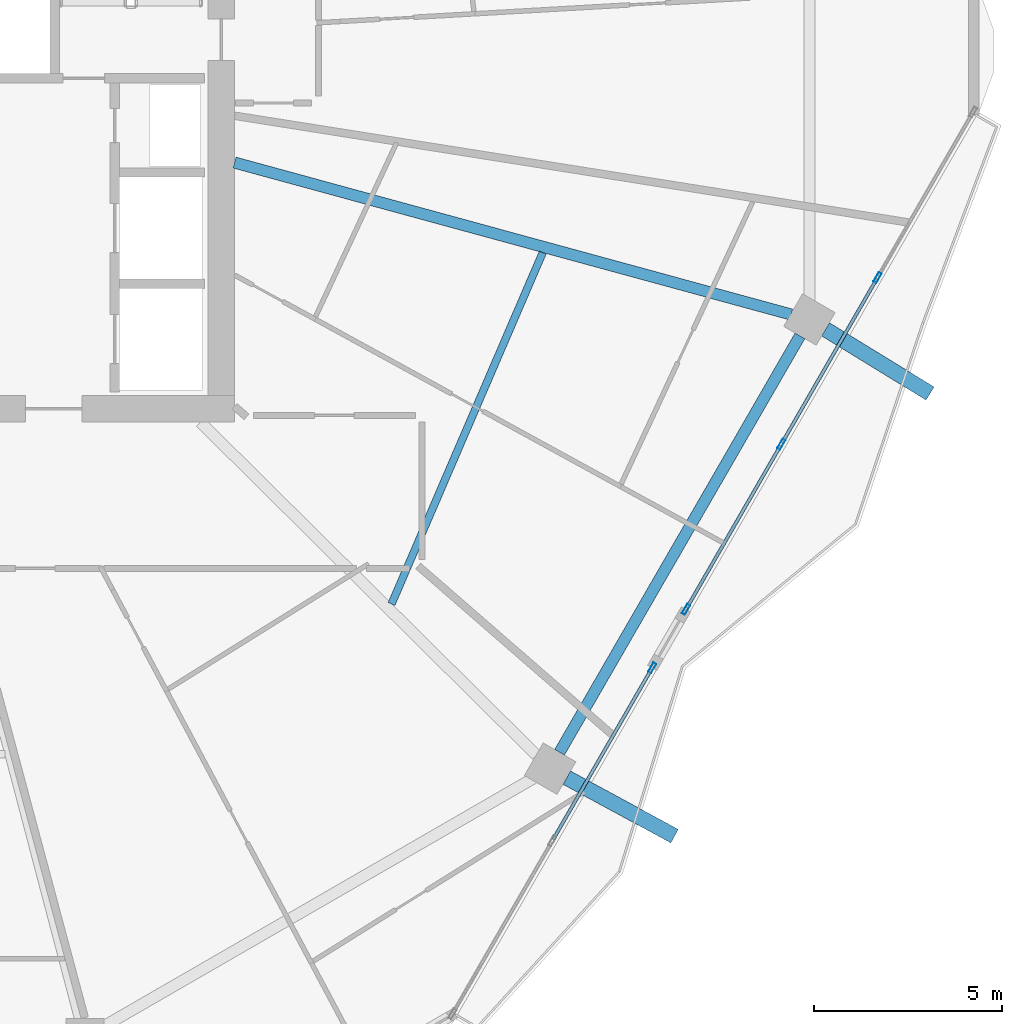
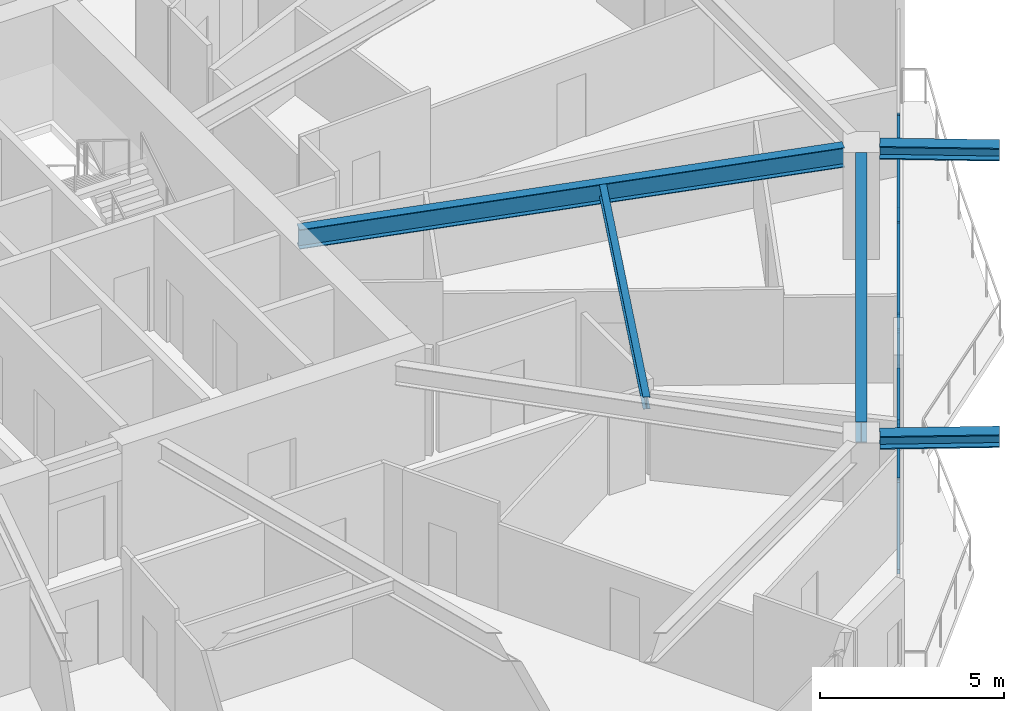
# One storey, part 8 of 26: 10 members, 5 beams, 2 elements without a shape of their own.
"""IFC4 building model written with IfcOpenShell, lengths in metres."""

from ifc_helpers import new_model, si_unit, direction, frame, origin, origin_2d, place, context, subcontext, project, spatial, hollow_rectangle, i_section, extrude, material, material_profile, profile_set, type_object, element, aggregate, save


model = new_model("IFC4")

# Units and contexts
model_context = context("Model", 3, precision=1e-05, world=origin(), true_north=direction((0.0, 1.0)))
body_context = subcontext(model_context, "Body", "Model", "MODEL_VIEW")
ifc_project = project(units=[si_unit("LENGTHUNIT", "METRE"), si_unit("AREAUNIT", "SQUARE_METRE"), si_unit("VOLUMEUNIT", "CUBIC_METRE"), si_unit("PLANEANGLEUNIT", "RADIAN"), si_unit("MASSUNIT", "GRAM", prefix="KILO")], contexts=[model_context])

# Site, building, storey
site_placement = place(None, origin())
site = spatial("IfcSite", under=ifc_project, at=site_placement, CompositionType="ELEMENT")
building_placement = place(site_placement, origin())
building = spatial("IfcBuilding", under=site, at=building_placement, Name="Zuhravey Tower", CompositionType="ELEMENT")
storey_placement = place(building_placement, frame((0.0, 0.0, 165.60009765625)))
storey = spatial("IfcBuildingStorey", under=building, at=storey_placement, Name="L41", CompositionType="ELEMENT", Elevation=165.60009765625)

# Curtain wall, members
ifc_material_1 = material(Name="Thermally broken anodised aluminium", Category="aluminium")
curtain_wall_type = type_object("IfcCurtainWallType", Name="Zone 1-2 Residential Curtain Wall CW3", PredefinedType="NOTDEFINED", material=ifc_material_1)
curtain_wall_1_placement = place(storey_placement, origin())
curtain_wall_1 = element("IfcCurtainWall", 1, at=curtain_wall_1_placement, inside=storey, type_object=curtain_wall_type, Name="L41 CW3 CW-L41-F6-1", PredefinedType="NOTDEFINED")
ifc_material_2 = material(Name="Anodised aluminium", Category="aluminium")
ifc_material_profile_1 = material_profile(ifc_material_2, hollow_rectangle(XDim=0.090087890625, YDim=0.284912109375, WallThickness=0.0048828125, at=origin_2d()), Name="ALU-RHS-90x285x5")
ifc_profile_set_1 = profile_set([ifc_material_profile_1], Name="Anodised aluminium")
member_type_1 = type_object("IfcMemberType", Name="Curtain-Wall Mullion 90x180", PredefinedType="MULLION", material=ifc_profile_set_1)
member_1_placement = place(storey_placement, frame((63.917236328125, 25.988037109375, 0.0), z_axis=(0.0, 0.0, 1.0), x_axis=(0.866025433822, -0.499999947974, 0.0)))
member_1 = element("IfcMember", 2, at=member_1_placement, type_object=member_type_1, Name="CW3 mullion 2", PredefinedType="MULLION", context=body_context, shape_type="SweptSolid", body=[
    extrude(hollow_rectangle(XDim=0.090087890625, YDim=0.284912109375, WallThickness=0.0048828125, at=origin_2d()), origin(), (0.0, 0.0, 1.0), 3.121826171875),
])
member_2_placement = place(storey_placement, frame((61.36279296875, 21.5634765625, 0.0), z_axis=(0.0, 0.0, 1.0), x_axis=(0.866025433822, -0.499999947974, 0.0)))
member_2 = element("IfcMember", 3, at=member_2_placement, type_object=member_type_1, Name="CW3 mullion 3", PredefinedType="MULLION", context=body_context, shape_type="SweptSolid", body=[
    extrude(hollow_rectangle(XDim=0.090087890625, YDim=0.284912109375, WallThickness=0.0048828125, at=origin_2d()), origin(), (0.0, 0.0, 1.0), 3.121826171875),
])
member_3_placement = place(storey_placement, frame((58.830810546875, 17.177978515625, 0.0), z_axis=(0.0, 0.0, 1.0), x_axis=(0.866025433822, -0.499999947974, 0.0)))
member_3 = element("IfcMember", 4, at=member_3_placement, type_object=member_type_1, Name="CW3 mullion 4", PredefinedType="MULLION", context=body_context, shape_type="SweptSolid", body=[
    extrude(hollow_rectangle(XDim=0.090087890625, YDim=0.284912109375, WallThickness=0.0048828125, at=origin_2d()), origin(), (0.0, 0.0, 1.0), 3.121826171875),
])

# Curtain wall, member
curtain_wall_2_placement = place(storey_placement, origin())
curtain_wall_2 = element("IfcCurtainWall", 5, at=curtain_wall_2_placement, inside=storey, type_object=curtain_wall_type, Name="L41 CW3 CW-L41-F6-2", PredefinedType="NOTDEFINED")
member_4_placement = place(storey_placement, frame((57.935791015625, 15.6279296875, 0.0), z_axis=(0.0, 0.0, 1.0), x_axis=(0.866025681859, -0.499999518361, 0.0)))
member_4 = element("IfcMember", 6, at=member_4_placement, type_object=member_type_1, Name="CW3 mullion 1", PredefinedType="MULLION", context=body_context, shape_type="SweptSolid", body=[
    extrude(hollow_rectangle(XDim=0.090087890625, YDim=0.284912109375, WallThickness=0.0048828125, at=origin_2d()), origin(), (0.0, 0.0, 1.0), 3.121826171875),
])

# Member
ifc_material_profile_2 = material_profile(ifc_material_2, hollow_rectangle(XDim=0.090087890625, YDim=0.14990234375, WallThickness=0.0048828125, at=origin_2d()), Name="ALU-RHS-90x150x5")
ifc_profile_set_2 = profile_set([ifc_material_profile_2], Name="Anodised aluminium")
member_type_2 = type_object("IfcMemberType", Name="Curtain-Wall Transom 90x150", PredefinedType="USERDEFINED", material=ifc_profile_set_2)
member_5_placement = place(storey_placement, frame((63.894775390625, 25.948974609375, 0.044921875), z_axis=(-0.500015802937, -0.866016279763, 0.0), x_axis=(0.866016279763, -0.500015802937, 0.0)))
member_5 = element("IfcMember", 7, at=member_5_placement, type_object=member_type_2, Name="CW3 transom 2.1", ObjectType="TRANSOM", PredefinedType="USERDEFINED", context=body_context, shape_type="SweptSolid", body=[
    extrude(hollow_rectangle(XDim=0.090087890625, YDim=0.14990234375, WallThickness=0.0048828125, at=origin_2d()), origin(), (0.0, 0.0, 1.0), 5.018798828125),
])

member_6_placement = place(storey_placement, frame((63.894775390625, 25.948974609375, 3.076904296875), z_axis=(-0.500015802937, -0.866016279763, 0.0), x_axis=(0.866016279763, -0.500015802937, 0.0)))
member_6 = element("IfcMember", 8, at=member_6_placement, type_object=member_type_2, Name="CW3 transom 2.2", ObjectType="TRANSOM", PredefinedType="USERDEFINED", context=body_context, shape_type="SweptSolid", body=[
    extrude(hollow_rectangle(XDim=0.090087890625, YDim=0.14990234375, WallThickness=0.0048828125, at=origin_2d()), origin(), (0.0, 0.0, 1.0), 5.018798828125),
])

member_7_placement = place(storey_placement, frame((61.34033203125, 21.524658203125, 0.044921875), z_axis=(-0.499971721724, -0.866041729639, 0.0), x_axis=(0.866041729639, -0.499971721724, 0.0)))
member_7 = element("IfcMember", 9, at=member_7_placement, type_object=member_type_2, Name="CW3 transom 3.1", ObjectType="TRANSOM", PredefinedType="USERDEFINED", context=body_context, shape_type="SweptSolid", body=[
    extrude(hollow_rectangle(XDim=0.090087890625, YDim=0.14990234375, WallThickness=0.0048828125, at=origin_2d()), origin(), (0.0, 0.0, 1.0), 4.973876953125),
])

member_8_placement = place(storey_placement, frame((61.34033203125, 21.524658203125, 3.076904296875), z_axis=(-0.499971721724, -0.866041729639, 0.0), x_axis=(0.866041729639, -0.499971721724, 0.0)))
member_8 = element("IfcMember", 10, at=member_8_placement, type_object=member_type_2, Name="CW3 transom 3.2", ObjectType="TRANSOM", PredefinedType="USERDEFINED", context=body_context, shape_type="SweptSolid", body=[
    extrude(hollow_rectangle(XDim=0.090087890625, YDim=0.14990234375, WallThickness=0.0048828125, at=origin_2d()), origin(), (0.0, 0.0, 1.0), 4.973876953125),
])

aggregate(curtain_wall_1, [member_1, member_2, member_3, member_5, member_6, member_7, member_8])

member_9_placement = place(storey_placement, frame((57.913330078125, 15.5888671875, 0.044921875), z_axis=(-0.499992746786, -0.866029591389, 0.0), x_axis=(0.866029591389, -0.499992746786, 0.0)))
member_9 = element("IfcMember", 11, at=member_9_placement, type_object=member_type_2, Name="CW3 transom 1.1", ObjectType="TRANSOM", PredefinedType="USERDEFINED", context=body_context, shape_type="SweptSolid", body=[
    extrude(hollow_rectangle(XDim=0.090087890625, YDim=0.14990234375, WallThickness=0.0048828125, at=origin_2d()), origin(), (0.0, 0.0, 1.0), 5.21240234375),
])

member_10_placement = place(storey_placement, frame((57.913330078125, 15.5888671875, 3.076904296875), z_axis=(-0.499992746786, -0.866029591389, 0.0), x_axis=(0.866029591389, -0.499992746786, 0.0)))
member_10 = element("IfcMember", 12, at=member_10_placement, type_object=member_type_2, Name="CW3 transom 1.2", ObjectType="TRANSOM", PredefinedType="USERDEFINED", context=body_context, shape_type="SweptSolid", body=[
    extrude(hollow_rectangle(XDim=0.090087890625, YDim=0.14990234375, WallThickness=0.0048828125, at=origin_2d()), origin(), (0.0, 0.0, 1.0), 5.21240234375),
])

aggregate(curtain_wall_2, [member_4, member_9, member_10])

# Beams
ifc_material_3 = material(Name="Steel SM460", Category="steel")
ifc_material_profile_3 = material_profile(ifc_material_3, i_section(OverallWidth=0.406982421875, OverallDepth=0.427978515625, WebThickness=0.02001953125, FlangeThickness=0.034912109375, at=origin_2d()), Name="H-428x407x20x35")
ifc_profile_set_3 = profile_set([ifc_material_profile_3], Name="Steel SM460")
beam_type_1 = type_object("IfcBeamType", Name="Exoskeleton Node Tie Beam H428x407", PredefinedType="BEAM", material=ifc_profile_set_3)
beam_1_placement = place(storey_placement, frame((55.668701171875, 12.713134765625, 3.3359375), z_axis=(0.87911769022, -0.476604748972, 0.0), x_axis=(0.476604748972, 0.87911769022, 0.0)))
element("IfcBeam", 13, at=beam_1_placement, inside=storey, type_object=beam_type_1, Name="L41 Exoskeleton Node Tie NT1-11", PredefinedType="BEAM", context=body_context, shape_type="SweptSolid", body=[
    extrude(i_section(OverallWidth=0.406982421875, OverallDepth=0.427978515625, WebThickness=0.02001953125, FlangeThickness=0.034912109375, at=origin_2d()), origin(), (0.0, 0.0, 1.0), 3.252197265625),
])
beam_2_placement = place(storey_placement, frame((62.537353515625, 24.60986328125, 3.3359375), z_axis=(0.852296870051, -0.523058357453, 0.0), x_axis=(0.523058357453, 0.852296870051, 0.0)))
element("IfcBeam", 14, at=beam_2_placement, inside=storey, type_object=beam_type_1, Name="L41 Exoskeleton Node Tie NT1-12", PredefinedType="BEAM", context=body_context, shape_type="SweptSolid", body=[
    extrude(i_section(OverallWidth=0.406982421875, OverallDepth=0.427978515625, WebThickness=0.02001953125, FlangeThickness=0.034912109375, at=origin_2d()), origin(), (0.0, 0.0, 1.0), 3.25244140625),
])
ifc_material_4 = material(Name="Steel SM355", Category="steel")
ifc_material_profile_4 = material_profile(ifc_material_4, i_section(OverallWidth=0.300048828125, OverallDepth=0.679931640625, WebThickness=0.012939453125, FlangeThickness=0.02197265625, at=origin_2d()), Name="H-680x300x13x22")
ifc_profile_set_4 = profile_set([ifc_material_profile_4], Name="Steel SM355")
beam_type_2 = type_object("IfcBeamType", Name="Perimeter Ring Beam H680x300", PredefinedType="BEAM", material=ifc_profile_set_4)
beam_3_placement = place(storey_placement, frame((55.47705078125, 13.388916015625, 3.2099609375), z_axis=(0.499997974489, 0.866026573211, 0.0), x_axis=(-0.866026573211, 0.499997974489, 0.0)))
element("IfcBeam", 15, at=beam_3_placement, inside=storey, type_object=beam_type_2, Name="L41 PB2 BM-L41-PB-11", PredefinedType="BEAM", context=body_context, shape_type="SweptSolid", body=[
    extrude(i_section(OverallWidth=0.300048828125, OverallDepth=0.679931640625, WebThickness=0.012939453125, FlangeThickness=0.02197265625, at=origin_2d()), origin(), (0.0, 0.0, 1.0), 12.75830078125),
])
ifc_material_profile_5 = material_profile(ifc_material_4, i_section(OverallWidth=0.300048828125, OverallDepth=0.64990234375, WebThickness=0.012939453125, FlangeThickness=0.02197265625, at=origin_2d()), Name="H-650x300x13x22")
ifc_profile_set_5 = profile_set([ifc_material_profile_5], Name="Steel SM355")
beam_type_3 = type_object("IfcBeamType", Name="Radial Primary Girder H650x300", PredefinedType="BEAM", material=ifc_profile_set_5)
beam_4_placement = place(storey_placement, frame((46.85302734375, 29.03759765625, 3.224853515625), z_axis=(0.964701601771, -0.263345437667, 0.0), x_axis=(0.263345437667, 0.964701601771, 0.0)))
element("IfcBeam", 16, at=beam_4_placement, inside=storey, type_object=beam_type_3, Name="L41 RG2 BM-L41-RAD-12", PredefinedType="BEAM", context=body_context, shape_type="SweptSolid", body=[
    extrude(i_section(OverallWidth=0.300048828125, OverallDepth=0.64990234375, WebThickness=0.012939453125, FlangeThickness=0.02197265625, at=origin_2d()), origin(), (0.0, 0.0, 1.0), 15.309814453125),
])
ifc_material_profile_6 = material_profile(ifc_material_4, i_section(OverallWidth=0.199951171875, OverallDepth=0.39990234375, WebThickness=0.008056640625, FlangeThickness=0.012939453125, at=origin_2d()), Name="H-400x200x8x13")
ifc_profile_set_6 = profile_set([ifc_material_profile_6], Name="Steel SM355")
beam_type_4 = type_object("IfcBeamType", Name="Secondary Floor Joist H400x200", PredefinedType="JOIST", material=ifc_profile_set_6)
beam_5_placement = place(storey_placement, frame((51.017578125, 17.323974609375, 3.349853515625), z_axis=(0.395265853487, 0.918566766799, 0.0), x_axis=(-0.918566766799, 0.395265853487, 0.0)))
element("IfcBeam", 17, at=beam_5_placement, inside=storey, type_object=beam_type_4, Name="L41 SJ2 BM-L41-SJ-11-1", PredefinedType="JOIST", context=body_context, shape_type="SweptSolid", body=[
    extrude(i_section(OverallWidth=0.199951171875, OverallDepth=0.39990234375, WebThickness=0.008056640625, FlangeThickness=0.012939453125, at=origin_2d()), origin(), (0.0, 0.0, 1.0), 10.150146484375),
])

save(model, "model.ifc")
